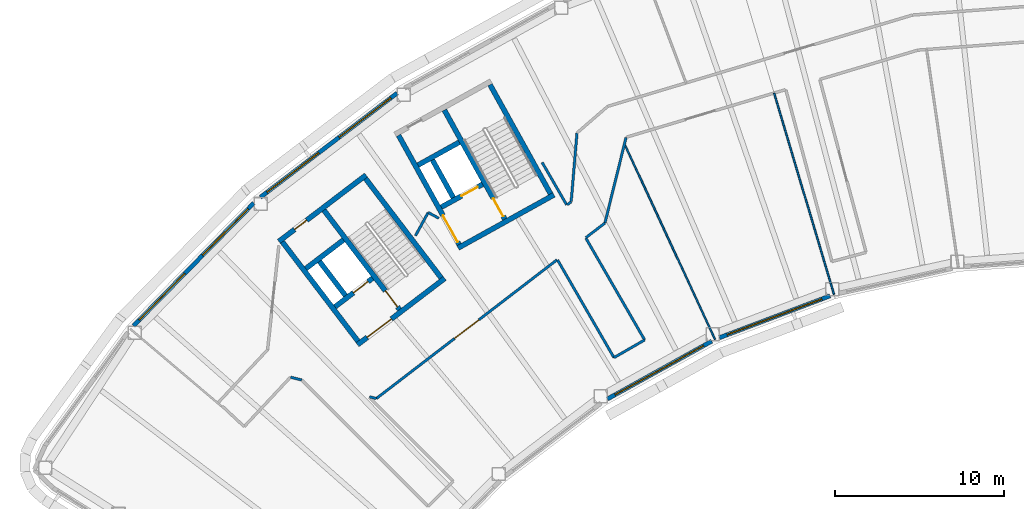
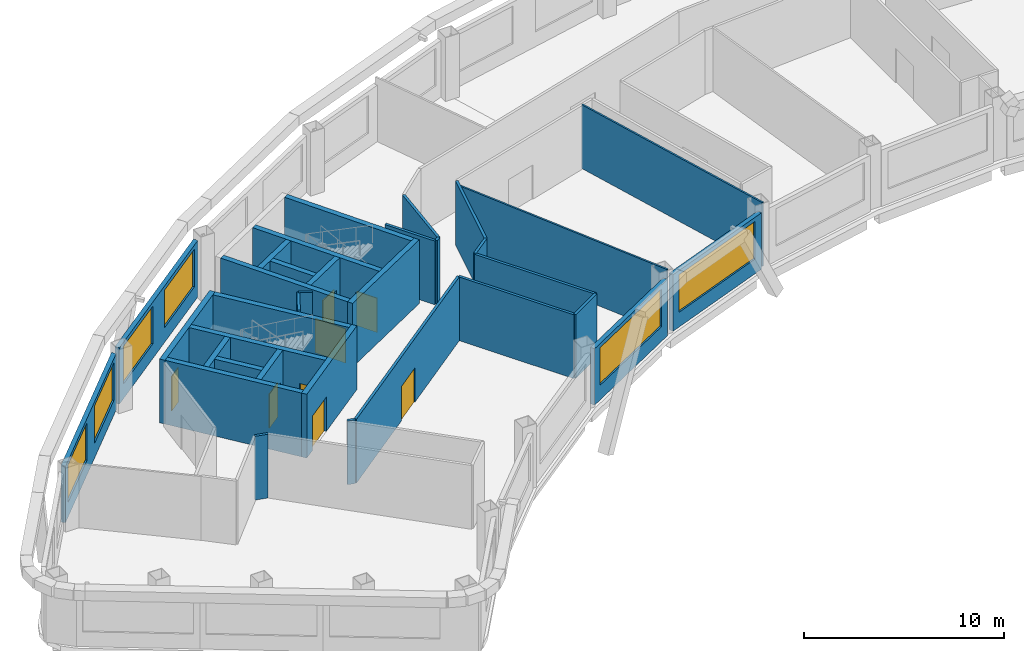
# One storey, part 5 of 16: 34 walls, 8 doors, 6 windows, 14 openings.
"""IFC4 building model written with IfcOpenShell, lengths in metres."""

from ifc_helpers import new_model, si_unit, direction, frame, frame_2d, origin, place, context, subcontext, project, spatial, rectangle, extrude, material, layer, layer_set, type_object, element, fill, save


model = new_model("IFC4")

# Units and contexts
model_context = context("Model", 3, precision=1e-05, world=origin(), true_north=direction((0.0, 1.0)))
body_context = subcontext(model_context, "Body", "Model", "MODEL_VIEW")
ifc_project = project(units=[si_unit("LENGTHUNIT", "METRE"), si_unit("AREAUNIT", "SQUARE_METRE"), si_unit("VOLUMEUNIT", "CUBIC_METRE"), si_unit("PLANEANGLEUNIT", "RADIAN"), si_unit("MASSUNIT", "GRAM", prefix="KILO")], contexts=[model_context])

# Site, building, storey
site_placement = place(None, origin())
site = spatial("IfcSite", under=ifc_project, at=site_placement, CompositionType="ELEMENT")
building_placement = place(site_placement, origin())
building = spatial("IfcBuilding", under=site, at=building_placement, Name="Tuul Gate Civic Tower", CompositionType="ELEMENT")
storey_placement = place(building_placement, frame((0.0, 0.0, 298.39990234375)))
storey = spatial("IfcBuildingStorey", under=building, at=storey_placement, Name="Level 67", CompositionType="ELEMENT", Elevation=298.39990234375)

# Wall, opening, door
ifc_material_1 = material(Name="Concrete C50/60", Category="concrete")
ifc_layer_1 = layer(ifc_material_1, 0.300048828125)
ifc_layer_set_1 = layer_set([ifc_layer_1], Name="Concrete C50/60")
wall_type_1 = type_object("IfcWallType", Name="Core wall C50/60", PredefinedType="SHEAR", material=ifc_layer_set_1)
wall_1_placement = place(storey_placement, frame((-31.19091796875, -13.669677734375, 0.0), z_axis=(0.0, 0.0, 1.0), x_axis=(-0.795606717756, -0.605813461934, 0.0)))
wall_1 = element("IfcWall", 1, at=wall_1_placement, inside=storey, type_object=wall_type_1, Name="Core wall", PredefinedType="SHEAR", context=body_context, shape_type="SweptSolid", body=[
    extrude(rectangle(XDim=6.5, YDim=0.300048828125, at=frame_2d((3.25, 0.0))), origin(), (0.0, 0.0, 1.0), 3.900146484375),
])
opening_1_placement = place(wall_1_placement, frame((3.97509765625, 0.0, 0.0)))
opening_1 = element("IfcOpeningElement", 2, at=opening_1_placement, cuts=wall_1, Name="Opening LB-W1-LOBBY-1", PredefinedType="OPENING", context=body_context, shape_type="SweptSolid", body=[
    extrude(rectangle(XDim=1.800048828125, YDim=2.10009765625, at=frame_2d((0.89990234375, 1.050048828125))), frame((0.0, 0.16015625, 0.0), z_axis=(0.0, -1.0, 0.0), x_axis=(1.0, 0.0, 0.0)), (0.0, 0.0, 1.0), 0.320068359375),
])
ifc_material_2 = material(Name="Steel", Category="steel")
door_type_1 = type_object("IfcDoorType", Name="Lobby door", OperationType="DOUBLE_DOOR_SINGLE_SWING", PredefinedType="DOOR", material=ifc_material_2)
door_1_placement = place(opening_1_placement, origin())
door_1 = element("IfcDoor", 3, at=door_1_placement, inside=storey, type_object=door_type_1, Name="Lobby door W1-LOBBY", OperationType="DOUBLE_DOOR_SINGLE_SWING", OverallHeight=2.10009765625, OverallWidth=1.800048828125, PredefinedType="DOOR", context=body_context, shape_type="SweptSolid", body=[
    extrude(rectangle(XDim=1.800048828125, YDim=2.10009765625, at=frame_2d((0.89990234375, 1.050048828125))), frame((0.0, 0.02490234375, 0.0), z_axis=(0.0, -1.0, 0.0), x_axis=(1.0, 0.0, 0.0)), (0.0, 0.0, 1.0), 0.050048828125),
])
fill(opening_1, door_1)

wall_2_placement = place(storey_placement, frame((-35.470947265625, -13.66064453125, 0.0), z_axis=(0.0, 0.0, 1.0), x_axis=(-0.795615822227, -0.605801504968, 0.0)))
wall_2 = element("IfcWall", 4, at=wall_2_placement, inside=storey, type_object=wall_type_1, Name="Core wall", PredefinedType="SHEAR", context=body_context, shape_type="SweptSolid", body=[
    extrude(rectangle(XDim=2.800048828125, YDim=0.300048828125, at=frame_2d((1.39990234375, 0.0))), origin(), (0.0, 0.0, 1.0), 3.900146484375),
])
opening_2_placement = place(wall_2_placement, frame((0.324951171875, 0.0, 0.0)))
opening_2 = element("IfcOpeningElement", 5, at=opening_2_placement, cuts=wall_2, Name="Opening LD-H1", PredefinedType="OPENING", context=body_context, shape_type="SweptSolid", body=[
    extrude(rectangle(XDim=1.10009765625, YDim=2.10009765625, at=frame_2d((0.550048828125, 1.050048828125))), frame((0.0, 0.16015625, 0.0), z_axis=(0.0, -1.0, 0.0), x_axis=(1.0, 0.0, 0.0)), (0.0, 0.0, 1.0), 0.320068359375),
])
ifc_material_3 = material(Name="Stainless steel", Category="steel")
door_type_2 = type_object("IfcDoorType", Name="Landing door", OperationType="DOUBLE_DOOR_SLIDING", PredefinedType="DOOR", material=ifc_material_3)
door_2_placement = place(opening_2_placement, origin())
door_2 = element("IfcDoor", 6, at=door_2_placement, inside=storey, type_object=door_type_2, Name="High-rise lift H1 landing door", OperationType="DOUBLE_DOOR_SLIDING", OverallHeight=2.10009765625, OverallWidth=1.10009765625, PredefinedType="DOOR", context=body_context, shape_type="SweptSolid", body=[
    extrude(rectangle(XDim=1.10009765625, YDim=2.10009765625, at=frame_2d((0.550048828125, 1.050048828125))), frame((0.0, 0.02490234375, 0.0), z_axis=(0.0, -1.0, 0.0), x_axis=(1.0, 0.0, 0.0)), (0.0, 0.0, 1.0), 0.050048828125),
])
fill(opening_2, door_2)

# Wall
wall_3_placement = place(storey_placement, frame((-37.197509765625, -11.39306640625, 0.0), z_axis=(0.0, 0.0, 1.0), x_axis=(-0.795583820278, -0.605843531707, 0.0)))
element("IfcWall", 7, at=wall_3_placement, inside=storey, type_object=wall_type_1, Name="Core wall", PredefinedType="SHEAR", context=body_context, shape_type="SweptSolid", body=[
    extrude(rectangle(XDim=2.7998046875, YDim=0.300048828125, at=frame_2d((1.39990234375, 0.0))), origin(), (0.0, 0.0, 1.0), 3.900146484375),
])

# Wall, opening, door
wall_4_placement = place(storey_placement, frame((-35.855224609375, -7.543212890625, 0.0), z_axis=(0.0, 0.0, 1.0), x_axis=(-0.79563860527, -0.605771582202, 0.0)))
wall_4 = element("IfcWall", 8, at=wall_4_placement, inside=storey, type_object=wall_type_1, Name="Core wall", PredefinedType="SHEAR", context=body_context, shape_type="SweptSolid", body=[
    extrude(rectangle(XDim=6.5, YDim=0.300048828125, at=frame_2d((3.25, 0.0))), origin(), (0.0, 0.0, 1.0), 3.900146484375),
])
opening_3_placement = place(wall_4_placement, frame((4.425048828125, 0.0, 0.0)))
opening_3 = element("IfcOpeningElement", 9, at=opening_3_placement, cuts=wall_4, Name="Opening Y-D16", PredefinedType="OPENING", context=body_context, shape_type="SweptSolid", body=[
    extrude(rectangle(XDim=0.89990234375, YDim=2.10009765625, at=frame_2d((0.449951171875, 1.050048828125))), frame((0.0, 0.16015625, 0.0), z_axis=(0.0, -1.0, 0.0), x_axis=(1.0, 0.0, 0.0)), (0.0, 0.0, 1.0), 0.320068359375),
])
ifc_material_4 = material(Name="Timber door leaf", Category="wood")
door_type_3 = type_object("IfcDoorType", Name="Door D09", OperationType="NOTDEFINED", PredefinedType="DOOR", material=ifc_material_4)
door_3_placement = place(opening_3_placement, origin())
door_3 = element("IfcDoor", 10, at=door_3_placement, inside=storey, type_object=door_type_3, Name="Door Y-D16", OperationType="SINGLE_SWING_RIGHT", OverallHeight=2.10009765625, OverallWidth=0.89990234375, PredefinedType="DOOR", context=body_context, shape_type="SweptSolid", body=[
    extrude(rectangle(XDim=0.89990234375, YDim=2.10009765625, at=frame_2d((0.449951171875, 1.050048828125))), frame((0.0, 0.02490234375, 0.0), z_axis=(0.0, -1.0, 0.0), x_axis=(1.0, 0.0, 0.0)), (0.0, 0.0, 1.0), 0.050048828125),
])
fill(opening_3, door_3)

# Wall
wall_5_placement = place(storey_placement, frame((-31.401123046875, -13.64111328125, 0.0), z_axis=(0.0, 0.0, 1.0), x_axis=(-0.605769822278, 0.795639945213, 0.0)))
element("IfcWall", 11, at=wall_5_placement, inside=storey, type_object=wall_type_1, Name="Core wall", PredefinedType="SHEAR", context=body_context, shape_type="SweptSolid", body=[
    extrude(rectangle(XDim=7.39990234375, YDim=0.300048828125, at=frame_2d((3.699951171875, 0.0))), origin(), (0.0, 0.0, 1.0), 3.900146484375),
])

# Wall, opening, door
wall_6_placement = place(storey_placement, frame((-33.867431640625, -15.51904296875, 0.0), z_axis=(0.0, 0.0, 1.0), x_axis=(-0.605769822278, 0.795639945213, 0.0)))
wall_6 = element("IfcWall", 12, at=wall_6_placement, inside=storey, type_object=wall_type_1, Name="Core wall", PredefinedType="SHEAR", context=body_context, shape_type="SweptSolid", body=[
    extrude(rectangle(XDim=7.39990234375, YDim=0.300048828125, at=frame_2d((3.699951171875, 0.0))), origin(), (0.0, 0.0, 1.0), 3.900146484375),
])
opening_4_placement = place(wall_6_placement, frame((0.199951171875, 0.0, 0.0)))
opening_4 = element("IfcOpeningElement", 13, at=opening_4_placement, cuts=wall_6, Name="Opening SD-ST-1", PredefinedType="OPENING", context=body_context, shape_type="SweptSolid", body=[
    extrude(rectangle(XDim=1.199951171875, YDim=2.10009765625, at=frame_2d((0.60009765625, 1.050048828125))), frame((0.0, 0.16015625, 0.0), z_axis=(0.0, -1.0, 0.0), x_axis=(1.0, 0.0, 0.0)), (0.0, 0.0, 1.0), 0.320068359375),
])
ifc_material_5 = material(Name="Steel", Category="steel")
door_type_4 = type_object("IfcDoorType", Name="Stair door", OperationType="NOTDEFINED", PredefinedType="DOOR", material=ifc_material_5)
door_4_placement = place(opening_4_placement, origin())
door_4 = element("IfcDoor", 14, at=door_4_placement, inside=storey, type_object=door_type_4, Name="Stair door ST-1", OperationType="SINGLE_SWING_LEFT", OverallHeight=2.10009765625, OverallWidth=1.199951171875, PredefinedType="DOOR", context=body_context, shape_type="SweptSolid", body=[
    extrude(rectangle(XDim=1.199951171875, YDim=2.10009765625, at=frame_2d((0.60009765625, 1.050048828125))), frame((0.0, 0.02490234375, 0.0), z_axis=(0.0, -1.0, 0.0), x_axis=(1.0, 0.0, 0.0)), (0.0, 0.0, 1.0), 0.050048828125),
])
fill(opening_4, door_4)

# Walls
wall_7_placement = place(storey_placement, frame((-37.073486328125, -14.6923828125, 0.0), z_axis=(0.0, 0.0, 1.0), x_axis=(-0.605728760074, 0.79567120673, 0.0)))
element("IfcWall", 15, at=wall_7_placement, inside=storey, type_object=wall_type_1, Name="Core wall", PredefinedType="SHEAR", context=body_context, shape_type="SweptSolid", body=[
    extrude(rectangle(XDim=2.550048828125, YDim=0.300048828125, at=frame_2d((1.27490234375, 0.0))), origin(), (0.0, 0.0, 1.0), 3.900146484375),
])
wall_8_placement = place(storey_placement, frame((-36.333984375, -17.397216796875, 0.0), z_axis=(0.0, 0.0, 1.0), x_axis=(-0.605753921168, 0.795652051458, 0.0)))
element("IfcWall", 16, at=wall_8_placement, inside=storey, type_object=wall_type_1, Name="Core wall", PredefinedType="SHEAR", context=body_context, shape_type="SweptSolid", body=[
    extrude(rectangle(XDim=7.400146484375, YDim=0.300048828125, at=frame_2d((3.7001953125, 0.0))), origin(), (0.0, 0.0, 1.0), 3.900146484375),
])
wall_9_placement = place(storey_placement, frame((-24.711669921875, -8.7158203125, 0.0), z_axis=(0.0, 0.0, 1.0), x_axis=(-0.874629909008, -0.484791215132, 0.0)))
element("IfcWall", 17, at=wall_9_placement, inside=storey, type_object=wall_type_1, Name="Core wall", PredefinedType="SHEAR", context=body_context, shape_type="SweptSolid", body=[
    extrude(rectangle(XDim=6.5, YDim=0.300048828125, at=frame_2d((3.25, 0.0))), origin(), (0.0, 0.0, 1.0), 3.900146484375),
])

# Wall, opening, door
wall_10_placement = place(storey_placement, frame((-28.94580078125, -8.090087890625, 0.0), z_axis=(0.0, 0.0, 1.0), x_axis=(-0.874629840737, -0.484791338301, 0.0)))
wall_10 = element("IfcWall", 18, at=wall_10_placement, inside=storey, type_object=wall_type_1, Name="Core wall", PredefinedType="SHEAR", context=body_context, shape_type="SweptSolid", body=[
    extrude(rectangle(XDim=2.800048828125, YDim=0.300048828125, at=frame_2d((1.39990234375, 0.0))), origin(), (0.0, 0.0, 1.0), 3.900146484375),
])
opening_5_placement = place(wall_10_placement, frame((0.324951171875, 0.0, 0.0)))
opening_5 = element("IfcOpeningElement", 19, at=opening_5_placement, cuts=wall_10, Name="Opening LD-FF-1", PredefinedType="OPENING", context=body_context, shape_type="SweptSolid", body=[
    extrude(rectangle(XDim=1.10009765625, YDim=2.10009765625, at=frame_2d((0.550048828125, 1.050048828125))), frame((0.0, 0.16015625, 0.0), z_axis=(0.0, -1.0, 0.0), x_axis=(1.0, 0.0, 0.0)), (0.0, 0.0, 1.0), 0.320068359375),
])
door_5_placement = place(opening_5_placement, origin())
door_5 = element("IfcDoor", 20, at=door_5_placement, inside=storey, type_object=door_type_2, Name="Fire-fighting lift FF-1 landing door", OperationType="DOUBLE_DOOR_SLIDING", OverallHeight=2.10009765625, OverallWidth=1.10009765625, PredefinedType="DOOR", context=body_context, shape_type="SweptSolid", body=[
    extrude(rectangle(XDim=1.10009765625, YDim=2.10009765625, at=frame_2d((0.550048828125, 1.050048828125))), frame((0.0, 0.02490234375, 0.0), z_axis=(0.0, -1.0, 0.0), x_axis=(1.0, 0.0, 0.0)), (0.0, 0.0, 1.0), 0.050048828125),
])
fill(opening_5, door_5)

# Walls
wall_11_placement = place(storey_placement, frame((-30.327392578125, -5.59716796875, 0.0), z_axis=(0.0, 0.0, 1.0), x_axis=(-0.874629840737, -0.484791338301, 0.0)))
element("IfcWall", 21, at=wall_11_placement, inside=storey, type_object=wall_type_1, Name="Core wall", PredefinedType="SHEAR", context=body_context, shape_type="SweptSolid", body=[
    extrude(rectangle(XDim=2.800048828125, YDim=0.300048828125, at=frame_2d((1.39990234375, 0.0))), origin(), (0.0, 0.0, 1.0), 3.900146484375),
])
wall_12_placement = place(storey_placement, frame((-24.91552734375, -8.6572265625, 0.0), z_axis=(0.0, 0.0, 1.0), x_axis=(-0.484777133038, 0.874637714304, 0.0)))
element("IfcWall", 22, at=wall_12_placement, inside=storey, type_object=wall_type_1, Name="Core wall", PredefinedType="SHEAR", context=body_context, shape_type="SweptSolid", body=[
    extrude(rectangle(XDim=7.400146484375, YDim=0.300048828125, at=frame_2d((3.7001953125, 0.0))), origin(), (0.0, 0.0, 1.0), 3.900146484375),
])

# Wall, opening, door
wall_13_placement = place(storey_placement, frame((-27.626953125, -10.16015625, 0.0), z_axis=(0.0, 0.0, 1.0), x_axis=(-0.484751894226, 0.874651702704, 0.0)))
wall_13 = element("IfcWall", 23, at=wall_13_placement, inside=storey, type_object=wall_type_1, Name="Core wall", PredefinedType="SHEAR", context=body_context, shape_type="SweptSolid", body=[
    extrude(rectangle(XDim=7.39990234375, YDim=0.300048828125, at=frame_2d((3.699951171875, 0.0))), origin(), (0.0, 0.0, 1.0), 3.900146484375),
])
opening_6_placement = place(wall_13_placement, frame((0.199951171875, 0.0, 0.0)))
opening_6 = element("IfcOpeningElement", 24, at=opening_6_placement, cuts=wall_13, Name="Opening SD-ST-2", PredefinedType="OPENING", context=body_context, shape_type="SweptSolid", body=[
    extrude(rectangle(XDim=1.199951171875, YDim=2.10009765625, at=frame_2d((0.60009765625, 1.050048828125))), frame((0.0, 0.16015625, 0.0), z_axis=(0.0, -1.0, 0.0), x_axis=(1.0, 0.0, 0.0)), (0.0, 0.0, 1.0), 0.320068359375),
])
door_6_placement = place(opening_6_placement, origin())
door_6 = element("IfcDoor", 25, at=door_6_placement, inside=storey, type_object=door_type_4, Name="Stair door ST-2", OperationType="SINGLE_SWING_LEFT", OverallHeight=2.10009765625, OverallWidth=1.199951171875, PredefinedType="DOOR", context=body_context, shape_type="SweptSolid", body=[
    extrude(rectangle(XDim=1.199951171875, YDim=2.10009765625, at=frame_2d((0.60009765625, 1.050048828125))), frame((0.0, 0.02490234375, 0.0), z_axis=(0.0, -1.0, 0.0), x_axis=(1.0, 0.0, 0.0)), (0.0, 0.0, 1.0), 0.050048828125),
])
fill(opening_6, door_6)

# Wall
wall_14_placement = place(storey_placement, frame((-30.680419921875, -8.8798828125, 0.0), z_axis=(0.0, 0.0, 1.0), x_axis=(-0.484724115216, 0.874667097888, 0.0)))
element("IfcWall", 26, at=wall_14_placement, inside=storey, type_object=wall_type_1, Name="Core wall", PredefinedType="SHEAR", context=body_context, shape_type="SweptSolid", body=[
    extrude(rectangle(XDim=2.550048828125, YDim=0.300048828125, at=frame_2d((1.27490234375, 0.0))), origin(), (0.0, 0.0, 1.0), 3.900146484375),
])

# Wall, opening, door
wall_15_placement = place(storey_placement, frame((-30.33837890625, -11.6630859375, 0.0), z_axis=(0.0, 0.0, 1.0), x_axis=(-0.484751894226, 0.874651702704, 0.0)))
wall_15 = element("IfcWall", 27, at=wall_15_placement, inside=storey, type_object=wall_type_1, Name="Core wall", PredefinedType="SHEAR", context=body_context, shape_type="SweptSolid", body=[
    extrude(rectangle(XDim=7.39990234375, YDim=0.300048828125, at=frame_2d((3.699951171875, 0.0))), origin(), (0.0, 0.0, 1.0), 3.900146484375),
])
opening_7_placement = place(wall_15_placement, frame((0.175048828125, 0.0, 0.0)))
opening_7 = element("IfcOpeningElement", 28, at=opening_7_placement, cuts=wall_15, Name="Opening LB-W2-FLOBBY-1", PredefinedType="OPENING", context=body_context, shape_type="SweptSolid", body=[
    extrude(rectangle(XDim=1.800048828125, YDim=2.10009765625, at=frame_2d((0.89990234375, 1.050048828125))), frame((0.0, 0.16015625, 0.0), z_axis=(0.0, -1.0, 0.0), x_axis=(1.0, 0.0, 0.0)), (0.0, 0.0, 1.0), 0.320068359375),
])
door_7_placement = place(opening_7_placement, frame((1.800048828125, 0.0, 0.0), z_axis=(0.0, 0.0, 1.0), x_axis=(-1.0, 0.0, 0.0)))
door_7 = element("IfcDoor", 29, at=door_7_placement, inside=storey, type_object=door_type_1, Name="Lobby door W2-FLOBBY", OperationType="DOUBLE_DOOR_SINGLE_SWING", OverallHeight=2.10009765625, OverallWidth=1.800048828125, PredefinedType="DOOR", context=body_context, shape_type="SweptSolid", body=[
    extrude(rectangle(XDim=1.800048828125, YDim=2.10009765625, at=frame_2d((0.900146484375, 1.050048828125))), frame((0.0, 0.02490234375, 0.0), z_axis=(0.0, -1.0, 0.0), x_axis=(1.0, 0.0, 0.0)), (0.0, 0.0, 1.0), 0.050048828125),
])
fill(opening_7, door_7)

# Walls
ifc_material_6 = material(Name="Gypsum board partition")
ifc_layer_2 = layer(ifc_material_6, 0.14990234375)
ifc_layer_set_2 = layer_set([ifc_layer_2], Name="Gypsum board partition")
wall_type_2 = type_object("IfcWallType", Name="Corridor wall P150", PredefinedType="PARTITIONING", material=ifc_layer_set_2)
wall_16_placement = place(storey_placement, frame((-23.690185546875, -9.11669921875, 0.0), z_axis=(0.0, 0.0, 1.0), x_axis=(0.084074030476, 0.996459511169, 0.0)))
element("IfcWall", 30, at=wall_16_placement, inside=storey, type_object=wall_type_2, Name="p038", PredefinedType="PARTITIONING", context=body_context, shape_type="SweptSolid", body=[
    extrude(rectangle(XDim=4.085693359375, YDim=0.14990234375, at=frame_2d((2.04296875, 0.0))), origin(), (0.0, 0.0, 1.0), 3.900146484375),
])
wall_17_placement = place(storey_placement, frame((-23.931640625, -9.312255859375, 0.0), z_axis=(0.0, 0.0, 1.0), x_axis=(0.790865928827, 0.611989446495, 0.0)))
element("IfcWall", 31, at=wall_17_placement, inside=storey, type_object=wall_type_2, Name="p039", PredefinedType="PARTITIONING", context=body_context, shape_type="SweptSolid", body=[
    extrude(rectangle(XDim=0.294921875, YDim=0.14990234375, at=frame_2d((0.1474609375, 0.0))), origin(), (0.0, 0.0, 1.0), 3.900146484375),
])
wall_18_placement = place(storey_placement, frame((-25.409912109375, -6.79833984375, 0.0), z_axis=(0.0, 0.0, 1.0), x_axis=(0.500028961621, -0.866008682139, 0.0)))
element("IfcWall", 32, at=wall_18_placement, inside=storey, type_object=wall_type_2, Name="p040", PredefinedType="PARTITIONING", context=body_context, shape_type="SweptSolid", body=[
    extrude(rectangle(XDim=2.895751953125, YDim=0.14990234375, at=frame_2d((1.44775390625, 0.0))), origin(), (0.0, 0.0, 1.0), 3.900146484375),
])
wall_19_placement = place(storey_placement, frame((-22.822021484375, -11.280517578125, 0.0), z_axis=(0.0, 0.0, 1.0), x_axis=(0.500001179632, -0.866024722723, 0.0)))
element("IfcWall", 33, at=wall_19_placement, inside=storey, type_object=wall_type_2, Name="p041", PredefinedType="PARTITIONING", context=body_context, shape_type="SweptSolid", body=[
    extrude(rectangle(XDim=6.9755859375, YDim=0.14990234375, at=frame_2d((3.48779296875, 0.0))), origin(), (0.0, 0.0, 1.0), 3.900146484375),
])
wall_20_placement = place(storey_placement, frame((-32.17041015625, -9.76318359375, 0.0), z_axis=(0.0, 0.0, 1.0), x_axis=(0.877175212759, -0.480170434452, 0.0)))
element("IfcWall", 34, at=wall_20_placement, inside=storey, type_object=wall_type_2, Name="p042", PredefinedType="PARTITIONING", context=body_context, shape_type="SweptSolid", body=[
    extrude(rectangle(XDim=0.71337890625, YDim=0.14990234375, at=frame_2d((0.356689453125, 0.0))), origin(), (0.0, 0.0, 1.0), 3.900146484375),
])
wall_21_placement = place(storey_placement, frame((-32.92578125, -11.14208984375, 0.0), z_axis=(0.0, 0.0, 1.0), x_axis=(0.48009263129, 0.877217798144, 0.0)))
element("IfcWall", 35, at=wall_21_placement, inside=storey, type_object=wall_type_2, Name="p043", PredefinedType="PARTITIONING", context=body_context, shape_type="SweptSolid", body=[
    extrude(rectangle(XDim=1.5712890625, YDim=0.14990234375, at=frame_2d((0.78564453125, 0.0))), origin(), (0.0, 0.0, 1.0), 3.900146484375),
])
wall_22_placement = place(storey_placement, frame((-21.690185546875, -10.388916015625, 0.0), z_axis=(0.0, 0.0, 1.0), x_axis=(0.239908432777, 0.970795521149, 0.0)))
element("IfcWall", 36, at=wall_22_placement, inside=storey, type_object=wall_type_2, Name="p077", PredefinedType="PARTITIONING", context=body_context, shape_type="SweptSolid", body=[
    extrude(rectangle(XDim=5.2275390625, YDim=0.14990234375, at=frame_2d((2.61376953125, 0.0))), origin(), (0.0, 0.0, 1.0), 3.900146484375),
])
wall_23_placement = place(storey_placement, frame((-40.32958984375, -19.53466796875, 0.0), z_axis=(0.0, 0.0, 1.0), x_axis=(0.970729179799, -0.240176725533, 0.0)))
element("IfcWall", 37, at=wall_23_placement, inside=storey, type_object=wall_type_2, Name="p079", PredefinedType="PARTITIONING", context=body_context, shape_type="SweptSolid", body=[
    extrude(rectangle(XDim=0.68212890625, YDim=0.14990234375, at=frame_2d((0.341064453125, 0.0))), origin(), (0.0, 0.0, 1.0), 3.900146484375),
])
wall_24_placement = place(storey_placement, frame((-35.65087890625, -20.692626953125, 0.0), z_axis=(0.0, 0.0, 1.0), x_axis=(0.970820139182, -0.23980879333, 0.0)))
element("IfcWall", 38, at=wall_24_placement, inside=storey, type_object=wall_type_2, Name="p080", PredefinedType="PARTITIONING", context=body_context, shape_type="SweptSolid", body=[
    extrude(rectangle(XDim=0.42138671875, YDim=0.14990234375, at=frame_2d((0.210693359375, 0.0))), origin(), (0.0, 0.0, 1.0), 3.900146484375),
])

# Wall, opening, door
wall_25_placement = place(storey_placement, frame((-35.2412109375, -20.792236328125, 0.0), z_axis=(0.0, 0.0, 1.0), x_axis=(0.793202297642, 0.608958221076, 0.0)))
wall_25 = element("IfcWall", 39, at=wall_25_placement, inside=storey, type_object=wall_type_2, Name="p084", PredefinedType="PARTITIONING", context=body_context, shape_type="SweptSolid", body=[
    extrude(rectangle(XDim=13.50390625, YDim=0.14990234375, at=frame_2d((6.751953125, 0.0))), origin(), (0.0, 0.0, 1.0), 3.900146484375),
])
opening_8_placement = place(wall_25_placement, frame((5.85205078125, 0.0, 0.0)))
opening_8 = element("IfcOpeningElement", 40, at=opening_8_placement, cuts=wall_25, Name="Opening Y-D13", PredefinedType="OPENING", context=body_context, shape_type="SweptSolid", body=[
    extrude(rectangle(XDim=1.800048828125, YDim=2.10009765625, at=frame_2d((0.89990234375, 1.050048828125))), frame((0.0, 0.0849609375, 0.0), z_axis=(0.0, -1.0, 0.0), x_axis=(1.0, 0.0, 0.0)), (0.0, 0.0, 1.0), 0.169921875),
])
ifc_material_7 = material(Name="Timber door leaf, double", Category="wood")
door_type_5 = type_object("IfcDoorType", Name="Door D18", OperationType="DOUBLE_DOOR_SINGLE_SWING", PredefinedType="DOOR", material=ifc_material_7)
door_8_placement = place(opening_8_placement, frame((1.800048828125, 0.0, 0.0), z_axis=(0.0, 0.0, 1.0), x_axis=(-1.0, 0.0, 0.0)))
door_8 = element("IfcDoor", 41, at=door_8_placement, inside=storey, type_object=door_type_5, Name="Door Y-D13", OperationType="DOUBLE_DOOR_SINGLE_SWING", OverallHeight=2.10009765625, OverallWidth=1.800048828125, PredefinedType="DOOR", context=body_context, shape_type="SweptSolid", body=[
    extrude(rectangle(XDim=1.800048828125, YDim=2.10009765625, at=frame_2d((0.900146484375, 1.050048828125))), frame((0.0, 0.02490234375, 0.0), z_axis=(0.0, -1.0, 0.0), x_axis=(1.0, 0.0, 0.0)), (0.0, 0.0, 1.0), 0.050048828125),
])
fill(opening_8, door_8)

# Walls
wall_26_placement = place(storey_placement, frame((-22.81689453125, -11.25390625, 0.0), z_axis=(0.0, 0.0, 1.0), x_axis=(0.793205065992, 0.608954615127, 0.0)))
element("IfcWall", 42, at=wall_26_placement, inside=storey, type_object=wall_type_2, Name="p085", PredefinedType="PARTITIONING", context=body_context, shape_type="SweptSolid", body=[
    extrude(rectangle(XDim=1.42041015625, YDim=0.14990234375, at=frame_2d((0.710205078125, 0.0))), origin(), (0.0, 0.0, 1.0), 3.900146484375),
])
wall_27_placement = place(storey_placement, frame((-24.49951171875, -12.574951171875, 0.0), z_axis=(0.0, 0.0, 1.0), x_axis=(0.499999249307, -0.866025837197, 0.0)))
element("IfcWall", 43, at=wall_27_placement, inside=storey, type_object=wall_type_2, Name="p086", PredefinedType="PARTITIONING", context=body_context, shape_type="SweptSolid", body=[
    extrude(rectangle(XDim=6.693359375, YDim=0.14990234375, at=frame_2d((3.3466796875, 0.0))), origin(), (0.0, 0.0, 1.0), 3.900146484375),
])
wall_28_placement = place(storey_placement, frame((-21.15283203125, -18.37158203125, 0.0), z_axis=(0.0, 0.0, 1.0), x_axis=(0.866009402589, 0.500027713859, 0.0)))
element("IfcWall", 44, at=wall_28_placement, inside=storey, type_object=wall_type_2, Name="p087", PredefinedType="PARTITIONING", context=body_context, shape_type="SweptSolid", body=[
    extrude(rectangle(XDim=2.10009765625, YDim=0.14990234375, at=frame_2d((1.050048828125, 0.0))), origin(), (0.0, 0.0, 1.0), 3.900146484375),
])

# Wall, openings, windows
ifc_material_8 = material(Name="Precast concrete C40/50", Category="concrete")
ifc_layer_3 = layer(ifc_material_8, 0.25)
ifc_layer_set_3 = layer_set([ifc_layer_3], Name="Precast concrete C40/50")
wall_type_3 = type_object("IfcWallType", Name="External wall", PredefinedType="STANDARD", material=ifc_layer_set_3)
wall_29_placement = place(storey_placement, frame((-34.013916015625, -2.6865234375, 0.0), z_axis=(0.0, 0.0, 1.0), x_axis=(-0.795611005019, -0.605807831488, 0.0)))
wall_29 = element("IfcWall", 45, at=wall_29_placement, inside=storey, type_object=wall_type_3, Name="External wall", PredefinedType="STANDARD", context=body_context, shape_type="SweptSolid", body=[
    extrude(rectangle(XDim=10.188720703125, YDim=0.25, at=frame_2d((5.09423828125, 0.0))), origin(), (0.0, 0.0, 1.0), 3.4501953125),
])
opening_9_placement = place(wall_29_placement, frame((0.47314453125, 0.0, 0.89990234375)))
opening_9 = element("IfcOpeningElement", 46, at=opening_9_placement, cuts=wall_29, Name="Opening W22", PredefinedType="OPENING", context=body_context, shape_type="SweptSolid", body=[
    extrude(rectangle(XDim=3.85009765625, YDim=2.300048828125, at=frame_2d((1.925048828125, 1.14990234375))), frame((0.0, 0.135009765625, 0.0), z_axis=(0.0, -1.0, 0.0), x_axis=(1.0, 0.0, 0.0)), (0.0, 0.0, 1.0), 0.27001953125),
])
opening_10_placement = place(wall_29_placement, frame((5.844482421875, 0.0, 0.89990234375)))
opening_10 = element("IfcOpeningElement", 47, at=opening_10_placement, cuts=wall_29, Name="Opening W22", PredefinedType="OPENING", context=body_context, shape_type="SweptSolid", body=[
    extrude(rectangle(XDim=3.85009765625, YDim=2.300048828125, at=frame_2d((1.925048828125, 1.14990234375))), frame((0.0, 0.135009765625, 0.0), z_axis=(0.0, -1.0, 0.0), x_axis=(1.0, 0.0, 0.0)), (0.0, 0.0, 1.0), 0.27001953125),
])
ifc_material_9 = material(Name="Glass", Category="glass")
window_type_1 = type_object("IfcWindowType", Name="Window W22 3850 x 2300", PartitioningType="SINGLE_PANEL", PredefinedType="WINDOW", material=ifc_material_9)
window_1_placement = place(opening_9_placement, origin())
window_1 = element("IfcWindow", 48, at=window_1_placement, inside=storey, type_object=window_type_1, Name="Window", OverallHeight=2.300048828125, OverallWidth=3.85009765625, PartitioningType="SINGLE_PANEL", PredefinedType="WINDOW", context=body_context, shape_type="SweptSolid", body=[
    extrude(rectangle(XDim=3.85009765625, YDim=2.300048828125, at=frame_2d((1.925048828125, 1.14990234375))), frame((0.0, 0.030029296875, 0.0), z_axis=(0.0, -1.0, 0.0), x_axis=(1.0, 0.0, 0.0)), (0.0, 0.0, 1.0), 0.06005859375),
])
fill(opening_9, window_1)
window_2_placement = place(opening_10_placement, origin())
window_2 = element("IfcWindow", 49, at=window_2_placement, inside=storey, type_object=window_type_1, Name="Window", OverallHeight=2.300048828125, OverallWidth=3.85009765625, PartitioningType="SINGLE_PANEL", PredefinedType="WINDOW", context=body_context, shape_type="SweptSolid", body=[
    extrude(rectangle(XDim=3.85009765625, YDim=2.300048828125, at=frame_2d((1.925048828125, 1.14990234375))), frame((0.0, 0.030029296875, 0.0), z_axis=(0.0, -1.0, 0.0), x_axis=(1.0, 0.0, 0.0)), (0.0, 0.0, 1.0), 0.06005859375),
])
fill(opening_10, window_2)

wall_30_placement = place(storey_placement, frame((-42.509033203125, -9.20263671875, 0.0), z_axis=(0.0, 0.0, 1.0), x_axis=(-0.700044359254, -0.714099359387, 0.0)))
wall_30 = element("IfcWall", 50, at=wall_30_placement, inside=storey, type_object=wall_type_3, Name="External wall", PredefinedType="STANDARD", context=body_context, shape_type="SweptSolid", body=[
    extrude(rectangle(XDim=10.1962890625, YDim=0.25, at=frame_2d((5.09814453125, 0.0))), origin(), (0.0, 0.0, 1.0), 3.4501953125),
])
opening_11_placement = place(wall_30_placement, frame((0.48876953125, 0.0, 0.89990234375)))
opening_11 = element("IfcOpeningElement", 51, at=opening_11_placement, cuts=wall_30, Name="Opening W22", PredefinedType="OPENING", context=body_context, shape_type="SweptSolid", body=[
    extrude(rectangle(XDim=3.85009765625, YDim=2.300048828125, at=frame_2d((1.925048828125, 1.14990234375))), frame((0.0, 0.135009765625, 0.0), z_axis=(0.0, -1.0, 0.0), x_axis=(1.0, 0.0, 0.0)), (0.0, 0.0, 1.0), 0.27001953125),
])
opening_12_placement = place(wall_30_placement, frame((5.85986328125, 0.0, 0.89990234375)))
opening_12 = element("IfcOpeningElement", 52, at=opening_12_placement, cuts=wall_30, Name="Opening W22", PredefinedType="OPENING", context=body_context, shape_type="SweptSolid", body=[
    extrude(rectangle(XDim=3.85009765625, YDim=2.300048828125, at=frame_2d((1.925048828125, 1.14990234375))), frame((0.0, 0.135009765625, 0.0), z_axis=(0.0, -1.0, 0.0), x_axis=(1.0, 0.0, 0.0)), (0.0, 0.0, 1.0), 0.27001953125),
])
window_3_placement = place(opening_11_placement, origin())
window_3 = element("IfcWindow", 53, at=window_3_placement, inside=storey, type_object=window_type_1, Name="Window", OverallHeight=2.300048828125, OverallWidth=3.85009765625, PartitioningType="SINGLE_PANEL", PredefinedType="WINDOW", context=body_context, shape_type="SweptSolid", body=[
    extrude(rectangle(XDim=3.85009765625, YDim=2.300048828125, at=frame_2d((1.925048828125, 1.14990234375))), frame((0.0, 0.030029296875, 0.0), z_axis=(0.0, -1.0, 0.0), x_axis=(1.0, 0.0, 0.0)), (0.0, 0.0, 1.0), 0.06005859375),
])
fill(opening_11, window_3)
window_4_placement = place(opening_12_placement, origin())
window_4 = element("IfcWindow", 54, at=window_4_placement, inside=storey, type_object=window_type_1, Name="Window", OverallHeight=2.300048828125, OverallWidth=3.85009765625, PartitioningType="SINGLE_PANEL", PredefinedType="WINDOW", context=body_context, shape_type="SweptSolid", body=[
    extrude(rectangle(XDim=3.85009765625, YDim=2.300048828125, at=frame_2d((1.925048828125, 1.14990234375))), frame((0.0, 0.030029296875, 0.0), z_axis=(0.0, -1.0, 0.0), x_axis=(1.0, 0.0, 0.0)), (0.0, 0.0, 1.0), 0.06005859375),
])
fill(opening_12, window_4)

# Wall, opening, window
wall_31_placement = place(storey_placement, frame((-21.5380859375, -20.82177734375, 0.0), z_axis=(0.0, 0.0, 1.0), x_axis=(0.874625686175, 0.484798833625, 0.0)))
wall_31 = element("IfcWall", 55, at=wall_31_placement, inside=storey, type_object=wall_type_3, Name="External wall", PredefinedType="STANDARD", context=body_context, shape_type="SweptSolid", body=[
    extrude(rectangle(XDim=7.074462890625, YDim=0.25, at=frame_2d((3.537109375, 0.0))), origin(), (0.0, 0.0, 1.0), 3.4501953125),
])
opening_13_placement = place(wall_31_placement, frame((0.51806640625, 0.0, 0.89990234375)))
opening_13 = element("IfcOpeningElement", 56, at=opening_13_placement, cuts=wall_31, Name="Opening W26", PredefinedType="OPENING", context=body_context, shape_type="SweptSolid", body=[
    extrude(rectangle(XDim=6.0, YDim=2.300048828125, at=frame_2d((3.0, 1.14990234375))), frame((0.0, 0.135009765625, 0.0), z_axis=(0.0, -1.0, 0.0), x_axis=(1.0, 0.0, 0.0)), (0.0, 0.0, 1.0), 0.27001953125),
])
ifc_material_10 = material(Name="Glass", Category="glass")
window_type_2 = type_object("IfcWindowType", Name="Window W26 6000 x 2300", PartitioningType="SINGLE_PANEL", PredefinedType="WINDOW", material=ifc_material_10)
window_5_placement = place(opening_13_placement, origin())
window_5 = element("IfcWindow", 57, at=window_5_placement, inside=storey, type_object=window_type_2, Name="Window", OverallHeight=2.300048828125, OverallWidth=6.0, PartitioningType="SINGLE_PANEL", PredefinedType="WINDOW", context=body_context, shape_type="SweptSolid", body=[
    extrude(rectangle(XDim=6.0, YDim=2.300048828125, at=frame_2d((3.0, 1.14990234375))), frame((0.0, 0.030029296875, 0.0), z_axis=(0.0, -1.0, 0.0), x_axis=(1.0, 0.0, 0.0)), (0.0, 0.0, 1.0), 0.06005859375),
])
fill(opening_13, window_5)

wall_32_placement = place(storey_placement, frame((-14.89794921875, -17.1875, 0.0), z_axis=(0.0, 0.0, 1.0), x_axis=(0.93536719876, 0.35367810716, 0.0)))
wall_32 = element("IfcWall", 58, at=wall_32_placement, inside=storey, type_object=wall_type_3, Name="External wall", PredefinedType="STANDARD", context=body_context, shape_type="SweptSolid", body=[
    extrude(rectangle(XDim=7.013427734375, YDim=0.25, at=frame_2d((3.5068359375, 0.0))), origin(), (0.0, 0.0, 1.0), 3.4501953125),
])
opening_14_placement = place(wall_32_placement, frame((0.490478515625, 0.0, 0.89990234375)))
opening_14 = element("IfcOpeningElement", 59, at=opening_14_placement, cuts=wall_32, Name="Opening W26", PredefinedType="OPENING", context=body_context, shape_type="SweptSolid", body=[
    extrude(rectangle(XDim=6.0, YDim=2.300048828125, at=frame_2d((3.0, 1.14990234375))), frame((0.0, 0.135009765625, 0.0), z_axis=(0.0, -1.0, 0.0), x_axis=(1.0, 0.0, 0.0)), (0.0, 0.0, 1.0), 0.27001953125),
])
window_6_placement = place(opening_14_placement, origin())
window_6 = element("IfcWindow", 60, at=window_6_placement, inside=storey, type_object=window_type_2, Name="Window", OverallHeight=2.300048828125, OverallWidth=6.0, PartitioningType="SINGLE_PANEL", PredefinedType="WINDOW", context=body_context, shape_type="SweptSolid", body=[
    extrude(rectangle(XDim=6.0, YDim=2.300048828125, at=frame_2d((3.0, 1.14990234375))), frame((0.0, 0.030029296875, 0.0), z_axis=(0.0, -1.0, 0.0), x_axis=(1.0, 0.0, 0.0)), (0.0, 0.0, 1.0), 0.06005859375),
])
fill(opening_14, window_6)

# Walls
ifc_material_11 = material(Name="Gypsum board partition")
ifc_layer_4 = layer(ifc_material_11, 0.10009765625)
ifc_layer_set_4 = layer_set([ifc_layer_4], Name="Gypsum board partition")
wall_type_4 = type_object("IfcWallType", Name="Partition P100", PredefinedType="PARTITIONING", material=ifc_layer_set_4)
wall_33_placement = place(storey_placement, frame((-11.656982421875, -2.6806640625, 0.0), z_axis=(0.0, 0.0, 1.0), x_axis=(0.285195526972, -0.958469358611, 0.0)))
element("IfcWall", 61, at=wall_33_placement, inside=storey, type_object=wall_type_4, Name="p070", PredefinedType="PARTITIONING", context=body_context, shape_type="SweptSolid", body=[
    extrude(rectangle(XDim=12.460693359375, YDim=0.10009765625, at=frame_2d((6.23046875, 0.0))), origin(), (0.0, 0.0, 1.0), 3.900146484375),
])
wall_34_placement = place(storey_placement, frame((-20.531005859375, -5.697509765625, 0.0), z_axis=(0.0, 0.0, 1.0), x_axis=(0.420373545451, -0.907351135055, 0.0)))
element("IfcWall", 62, at=wall_34_placement, inside=storey, type_object=wall_type_4, Name="p076", PredefinedType="PARTITIONING", context=body_context, shape_type="SweptSolid", body=[
    extrude(rectangle(XDim=12.778076171875, YDim=0.10009765625, at=frame_2d((6.38916015625, 0.0))), origin(), (0.0, 0.0, 1.0), 3.900146484375),
])

save(model, "model.ifc")
